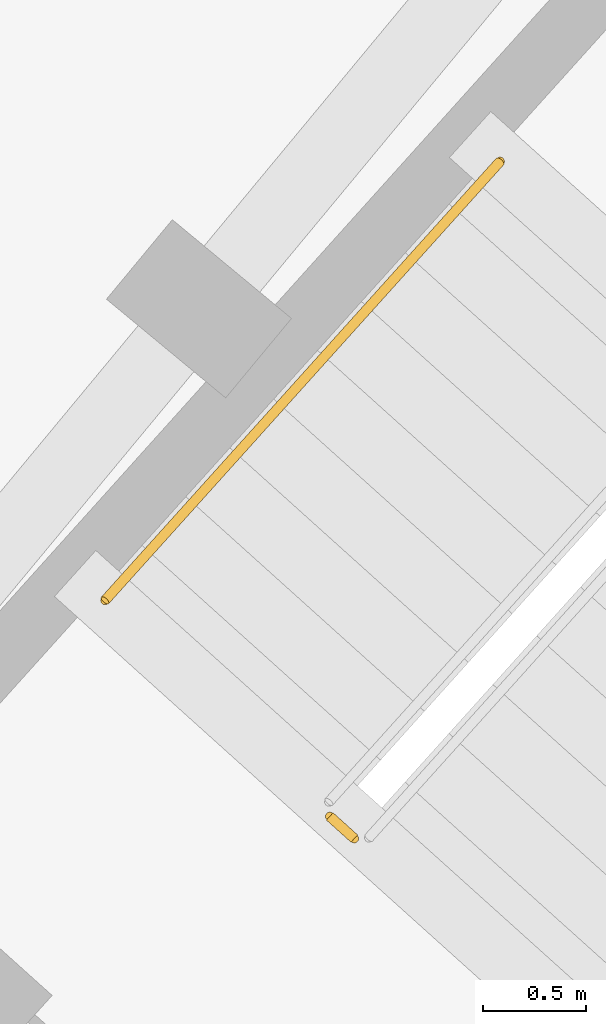
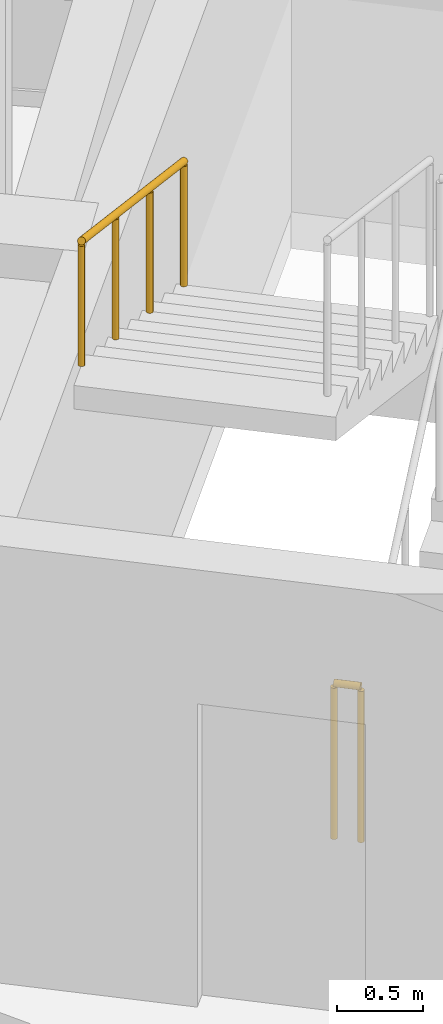
# One storey, part 51 of 54: 2 railings.
"""IFC4 building model written with IfcOpenShell, lengths in metres."""

from ifc_helpers import new_model, si_unit, direction, frame, origin, origin_2d, place, context, subcontext, project, spatial, circle, extrude, material, type_object, element, save


model = new_model("IFC4")

# Units and contexts
model_context = context("Model", 3, precision=1e-05, world=origin(), true_north=direction((0.0, 1.0)))
body_context = subcontext(model_context, "Body", "Model", "MODEL_VIEW")
ifc_project = project(units=[si_unit("LENGTHUNIT", "METRE"), si_unit("AREAUNIT", "SQUARE_METRE"), si_unit("VOLUMEUNIT", "CUBIC_METRE"), si_unit("PLANEANGLEUNIT", "RADIAN"), si_unit("MASSUNIT", "GRAM", prefix="KILO")], contexts=[model_context])

# Site, building, storey
site_placement = place(None, origin())
site = spatial("IfcSite", under=ifc_project, at=site_placement, CompositionType="ELEMENT")
building_placement = place(site_placement, origin())
building = spatial("IfcBuilding", under=site, at=building_placement, Name="Zimvara Arc Housing Community", CompositionType="ELEMENT")
storey_placement = place(building_placement, frame((0.0, 0.0, 23.60009765625)))
storey = spatial("IfcBuildingStorey", under=building, at=storey_placement, Name="L07", CompositionType="ELEMENT", Elevation=23.60009765625)

# Railings
ifc_material_1 = material(Name="Anodised Aluminium AW-6063", Category="aluminium")
railing_type_1 = type_object("IfcRailingType", Name="RLG-BAL-1120", PredefinedType="BALUSTRADE", material=ifc_material_1)
railing_1_placement = place(storey_placement, frame((80.074951171875, 83.3623046875, 0.0)))
element("IfcRailing", 1, at=railing_1_placement, inside=storey, type_object=railing_type_1, Name="L07 ST-B2 stair guard 4", PredefinedType="BALUSTRADE", context=body_context, shape_type="SweptSolid", body=[
    extrude(circle(Radius=0.02392578125, at=origin_2d()), frame((0.0, 0.0, 1.09619140625), z_axis=(-0.742763048172, 0.669554369913, 0.0), x_axis=(-0.669554369913, -0.742763048172, 0.0)), (0.0, 0.0, 1.0), 0.16015625),
    extrude(circle(Radius=0.02099609375, at=origin_2d()), origin(), (0.0, 0.0, 1.0), 1.072021484375),
    extrude(circle(Radius=0.02099609375, at=origin_2d()), frame((-0.118896484375, 0.107177734375, 0.0)), (0.0, 0.0, 1.0), 1.072021484375),
])
ifc_material_2 = material(Name="Anodised Aluminium AW-6063", Category="aluminium")
railing_type_2 = type_object("IfcRailingType", Name="RLG-HND-900", PredefinedType="HANDRAIL", material=ifc_material_2)
railing_2_placement = place(storey_placement, frame((80.78125, 86.64404296875, 1.704833984375)))
element("IfcRailing", 2, at=railing_2_placement, inside=storey, type_object=railing_type_2, Name="L07 ST-B2 stair handrail 2", PredefinedType="HANDRAIL", context=body_context, shape_type="SweptSolid", body=[
    extrude(circle(Radius=0.02392578125, at=origin_2d()), frame((0.0, 0.0, 0.8759765625), z_axis=(-0.601262536038, -0.668205807809, 0.438160200347), x_axis=(0.743362010683, -0.668889319, 0.0)), (0.0, 0.0, 1.0), 3.183837890625),
    extrude(circle(Radius=0.02099609375, at=origin_2d()), origin(), (0.0, 0.0, 1.0), 0.851806640625),
    extrude(circle(Radius=0.02099609375, at=origin_2d()), frame((-0.63818359375, -0.709228515625, 0.465087890625)), (0.0, 0.0, 1.0), 0.851806640625),
    extrude(circle(Radius=0.02099609375, at=origin_2d()), frame((-1.276123046875, -1.418212890625, 0.929931640625)), (0.0, 0.0, 1.0), 0.851806640625),
    extrude(circle(Radius=0.02099609375, at=origin_2d()), frame((-1.914306640625, -2.12744140625, 1.39501953125)), (0.0, 0.0, 1.0), 0.851806640625),
])

save(model, "model.ifc")
